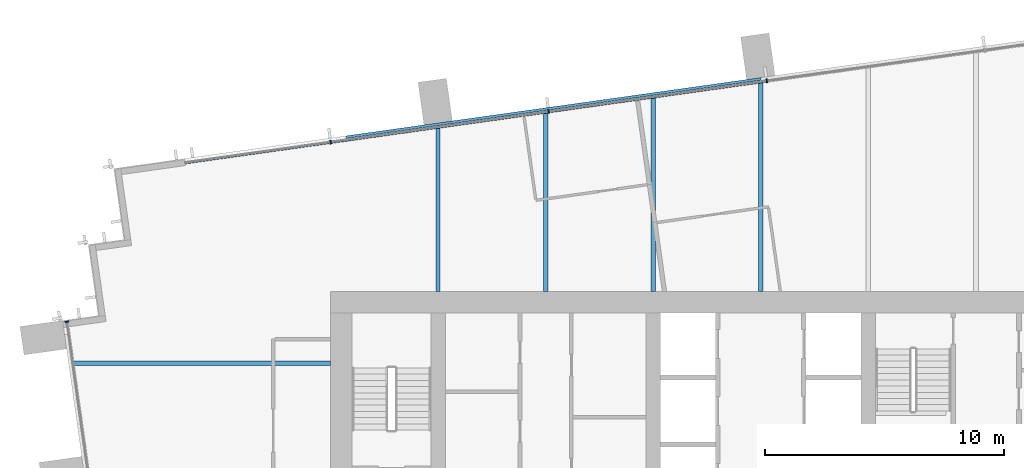
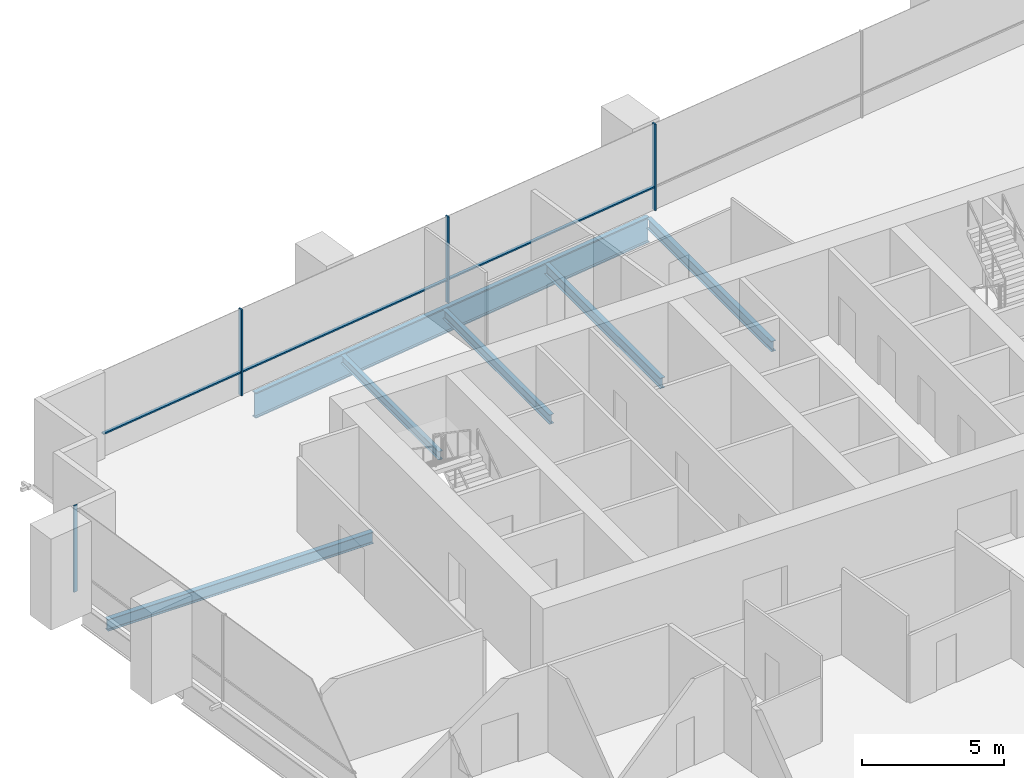
# One storey, part 6 of 14: 7 members, 6 beams, 2 elements without a shape of their own.
"""IFC4 building model written with IfcOpenShell, lengths in metres."""

import ifcopenshell
import ifcopenshell.guid

model = None  # the IFC model being written
_history = None  # IfcOwnerHistory: only IFC2X3 demands one
_inside = {}  # id of a spatial element -> (the spatial element, [elements in it])
_under = {}  # id of a project, library or spatial element -> (it, [spatial elements below it])
_declared = {}  # id of a project -> (the project, [libraries it declares])
_typed = {}  # id of a type object -> (the type object, [elements of that type])
_made_of = {}  # id of a material, layer set ... -> (it, [elements and type objects made of it])


def new_model(schema):
    """Start an empty IFC model of exactly this schema.

    Asked for "IFC4X3", IfcOpenShell would pick the latest addendum, in which some entities
    have other attributes; the version numbers below select the first issue.
    IFC2X3 requires an IfcOwnerHistory on every rooted entity: one is made here for all.
    """
    global model, _history
    if schema == "IFC4X3":
        model = ifcopenshell.file(schema_version=(4, 3, 0, 0))
    else:
        model = ifcopenshell.file(schema=schema)
    _inside.clear()
    _under.clear()
    _declared.clear()
    _typed.clear()
    _made_of.clear()
    _history = None
    if model.schema == "IFC2X3":
        org = make("IfcOrganization", Name="unknown")
        user = make(
            "IfcPersonAndOrganization",
            ThePerson=make("IfcPerson", FamilyName="unknown"),
            TheOrganization=org,
        )
        app = make(
            "IfcApplication",
            ApplicationDeveloper=org,
            Version="unknown",
            ApplicationFullName="unknown",
            ApplicationIdentifier="unknown",
        )
        _history = make(
            "IfcOwnerHistory",
            OwningUser=user,
            OwningApplication=app,
            ChangeAction="ADDED",
            CreationDate=0,
        )
    return model


def make(cls, **values):
    """One entity of the class cls with the attributes given. An attribute that is None is left unset."""
    return model.create_entity(
        cls, **{name: value for name, value in values.items() if value is not None}
    )


def rooted(cls, **values):
    """An entity with a GlobalId (a new one), such as an element, a storey or a relation."""
    return make(cls, GlobalId=ifcopenshell.guid.new(), OwnerHistory=_history, **values)


def si_unit(unit_type, name, prefix=None):
    """IfcSIUnit, for example si_unit("LENGTHUNIT", "METRE", prefix="MILLI")."""
    return make("IfcSIUnit", UnitType=unit_type, Prefix=prefix, Name=name)


def assignment(units):
    """IfcUnitAssignment: the units of a project."""
    return None if units is None else make("IfcUnitAssignment", Units=units)


def point(xyz):
    """IfcCartesianPoint."""
    return None if xyz is None else make("IfcCartesianPoint", Coordinates=xyz)


def direction(xyz):
    """IfcDirection."""
    return None if xyz is None else make("IfcDirection", DirectionRatios=xyz)


def frame(location, z_axis=None, x_axis=None):
    """IfcAxis2Placement3D, a coordinate frame: its origin and axes. An axis left out is left unset."""
    return make(
        "IfcAxis2Placement3D",
        Location=point(location),
        Axis=direction(z_axis),
        RefDirection=direction(x_axis),
    )


def frame_2d(location, x_axis=None):
    """IfcAxis2Placement2D, a coordinate frame in the plane: its origin and x axis."""
    return make(
        "IfcAxis2Placement2D", Location=point(location), RefDirection=direction(x_axis)
    )


def origin():
    """The frame at (0, 0, 0) with its axes left unset."""
    return frame((0.0, 0.0, 0.0))


def origin_2d():
    """The frame at (0, 0) in the plane with its x axis left unset."""
    return frame_2d((0.0, 0.0))


def place(relative_to, where):
    """IfcLocalPlacement: puts the frame where relative to a parent placement (None: the world)."""
    return make(
        "IfcLocalPlacement", PlacementRelTo=relative_to, RelativePlacement=where
    )


def context(
    kind, dimensions, precision=None, world=None, true_north=None, identifier=None
):
    """IfcGeometricRepresentationContext, for example the 3D "Model" context."""
    return make(
        "IfcGeometricRepresentationContext",
        ContextIdentifier=identifier,
        ContextType=kind,
        CoordinateSpaceDimension=dimensions,
        Precision=precision,
        WorldCoordinateSystem=world,
        TrueNorth=true_north,
    )


def subcontext(parent, identifier, kind, view, scale=None):
    """IfcGeometricRepresentationSubContext, for example "Body" below "Model"."""
    return make(
        "IfcGeometricRepresentationSubContext",
        ContextIdentifier=identifier,
        ContextType=kind,
        ParentContext=parent,
        TargetScale=scale,
        TargetView=view,
    )


def project(units=None, contexts=None):
    """IfcProject with its units and contexts."""
    return rooted(
        "IfcProject",
        Name="project",
        RepresentationContexts=contexts,
        UnitsInContext=assignment(units),
    )


def spatial(cls, under=None, at=None, **own):
    """A site, building, storey or space (cls), placed at a placement, below another one or the project."""
    s = rooted(cls, ObjectPlacement=at, **own)
    if under is not None:
        _under.setdefault(under.id(), (under, []))[1].append(s)
    return s


def profile(cls, at=None, kind="AREA", **sizes):
    """A parametric profile (cls). Its sizes go by their IFC names, for example OverallWidth=200.0."""
    return make(cls, ProfileType=kind, Position=at, **sizes)


def rectangle(**sizes):
    """IfcRectangleProfileDef."""
    return profile("IfcRectangleProfileDef", **sizes)


def i_section(**sizes):
    """IfcIShapeProfileDef."""
    return profile("IfcIShapeProfileDef", **sizes)


def extrude(swept, where, along, depth):
    """IfcExtrudedAreaSolid: the profile swept, set in the frame where, extruded along a direction by depth."""
    return make(
        "IfcExtrudedAreaSolid",
        SweptArea=swept,
        Position=where,
        ExtrudedDirection=direction(along),
        Depth=depth,
    )


def shape(context_of_items, identifier, shape_type, items):
    """IfcShapeRepresentation: the items that make up one representation, for example the "Body"."""
    return make(
        "IfcShapeRepresentation",
        ContextOfItems=context_of_items,
        RepresentationIdentifier=identifier,
        RepresentationType=shape_type,
        Items=items,
    )


def material(Name=None, Category=None):
    """IfcMaterial."""
    return make("IfcMaterial", Name=Name, Category=Category)


def material_profile(
    of_material, cross_section, Name=None, Category=None, Priority=None
):
    """IfcMaterialProfile: a cross section and its material."""
    return make(
        "IfcMaterialProfile",
        Name=Name,
        Material=of_material,
        Profile=cross_section,
        Priority=Priority,
        Category=Category,
    )


def profile_set(profiles, Name=None, composite=None):
    """IfcMaterialProfileSet."""
    return make(
        "IfcMaterialProfileSet",
        Name=Name,
        MaterialProfiles=profiles,
        CompositeProfile=composite,
    )


def made_of(thing, what):
    """Note that an element or type object is made of a material, layer set ...; save() writes the relation."""
    if what is not None:
        _made_of.setdefault(what.id(), (what, []))[1].append(thing)
    return thing


def type_object(cls, material=None, **own):
    """A type object (cls), such as IfcWallType, which elements share."""
    return made_of(rooted(cls, **own), material)


def element(
    cls,
    number,
    at=None,
    inside=None,
    cuts=None,
    type_object=None,
    material=None,
    context=None,
    identifier="Body",
    shape_type=None,
    held_by="IfcProductDefinitionShape",
    body=None,
    shapes=None,
    **own,
):
    """One element of the class cls, such as IfcWall. Its Tag is "e" and its number.

    at: its placement. inside: the storey or other place that contains it. cuts: it is an
    opening in that element (IfcRelVoidsElement). A single representation is given by context,
    identifier, shape_type and body (its items); several are given by shapes. held_by: the class
    of the entity that holds the representations. save() writes the other relations.
    """
    e = rooted(cls, Tag="e%d" % number, ObjectPlacement=at, **own)
    if body is not None:
        shapes = [shape(context, identifier, shape_type, body)]
    if shapes is not None:
        e.Representation = make(held_by, Representations=shapes)
    if inside is not None:
        _inside.setdefault(inside.id(), (inside, []))[1].append(e)
    if cuts is not None:
        rooted(
            "IfcRelVoidsElement", RelatingBuildingElement=cuts, RelatedOpeningElement=e
        )
    if type_object is not None:
        _typed.setdefault(type_object.id(), (type_object, []))[1].append(e)
    return made_of(e, material)


def aggregate(whole, parts):
    """IfcRelAggregates: a whole, such as a stair, and the parts it consists of."""
    return rooted("IfcRelAggregates", RelatingObject=whole, RelatedObjects=parts)


def save(model, path):
    """Write the relations noted so far, then the file.

    IfcRelAggregates (storeys below a building ...), IfcRelContainedInSpatialStructure (elements
    in a storey), IfcRelDefinesByType, IfcRelAssociatesMaterial and IfcRelDeclares: one each for
    every whole, place, type object, material and project.
    """
    for whole, parts in _under.values():
        aggregate(whole, parts)
    for where, things in _inside.values():
        rooted(
            "IfcRelContainedInSpatialStructure",
            RelatedElements=things,
            RelatingStructure=where,
        )
    for kind, things in _typed.values():
        rooted("IfcRelDefinesByType", RelatedObjects=things, RelatingType=kind)
    for what, things in _made_of.values():
        rooted("IfcRelAssociatesMaterial", RelatedObjects=things, RelatingMaterial=what)
    for by, libraries in _declared.values():
        rooted("IfcRelDeclares", RelatingContext=by, RelatedDefinitions=libraries)
    model.write(path)


model = new_model("IFC4")

# Units and contexts
model_context = context("Model", 3, precision=1e-05, world=origin(), true_north=direction((0.0, 1.0)))
body_context = subcontext(model_context, "Body", "Model", "MODEL_VIEW")
ifc_project = project(units=[si_unit("LENGTHUNIT", "METRE"), si_unit("AREAUNIT", "SQUARE_METRE"), si_unit("VOLUMEUNIT", "CUBIC_METRE"), si_unit("PLANEANGLEUNIT", "RADIAN"), si_unit("MASSUNIT", "GRAM", prefix="KILO")], contexts=[model_context])

# Site, building, storey
site_placement = place(None, origin())
site = spatial("IfcSite", under=ifc_project, at=site_placement, CompositionType="ELEMENT")
building_placement = place(site_placement, origin())
building = spatial("IfcBuilding", under=site, at=building_placement, Name="Rattan Terrace Tower", CompositionType="ELEMENT")
storey_placement = place(building_placement, frame((0.0, 0.0, 172.39990234375)))
storey = spatial("IfcBuildingStorey", under=building, at=storey_placement, Name="L39", CompositionType="ELEMENT", Elevation=172.39990234375)

# Curtain wall, members
ifc_material_1 = material(Name="Aluminium and glass", Category="aluminium")
curtain_wall_type = type_object("IfcCurtainWallType", Name="Facade Unitised Curtain Wall", PredefinedType="NOTDEFINED", material=ifc_material_1)
curtain_wall_1_placement = place(storey_placement, origin())
curtain_wall_1 = element("IfcCurtainWall", 1, at=curtain_wall_1_placement, inside=storey, type_object=curtain_wall_type, Name="Curtain wall L39-2", PredefinedType="NOTDEFINED")
ifc_material_2 = material(Name="Aluminium", Category="aluminium")
ifc_material_profile_1 = material_profile(ifc_material_2, rectangle(XDim=0.06005859375, YDim=0.159912109375, at=origin_2d()), Name="Aluminium 60x160")
ifc_profile_set_1 = profile_set([ifc_material_profile_1], Name="Aluminium")
member_type_1 = type_object("IfcMemberType", Name="Facade CW Mullion 60x160", PredefinedType="MULLION", material=ifc_profile_set_1)
member_1_placement = place(storey_placement, frame((0.25, 16.3125, 0.0), z_axis=(0.0, 0.0, 1.0), x_axis=(-0.990269702686, -0.139161474347, 0.0)))
member_1 = element("IfcMember", 2, at=member_1_placement, type_object=member_type_1, Name="Mullion cwl-L39-002.3", PredefinedType="MULLION", context=body_context, shape_type="SweptSolid", body=[
    extrude(rectangle(XDim=0.06005859375, YDim=0.159912109375, at=origin_2d()), origin(), (0.0, 0.0, 1.0), 3.7001953125),
])
member_2_placement = place(storey_placement, frame((-8.873291015625, 15.0302734375, 0.0), z_axis=(0.0, 0.0, 1.0), x_axis=(-0.990269702686, -0.139161474347, 0.0)))
member_2 = element("IfcMember", 3, at=member_2_placement, type_object=member_type_1, Name="Mullion cwl-L39-002.4", PredefinedType="MULLION", context=body_context, shape_type="SweptSolid", body=[
    extrude(rectangle(XDim=0.06005859375, YDim=0.159912109375, at=origin_2d()), origin(), (0.0, 0.0, 1.0), 3.7001953125),
])
member_3_placement = place(storey_placement, frame((-17.996826171875, 13.748291015625, 0.0), z_axis=(0.0, 0.0, 1.0), x_axis=(-0.990269702686, -0.139161474347, 0.0)))
member_3 = element("IfcMember", 4, at=member_3_placement, type_object=member_type_1, Name="Mullion cwl-L39-002.5", PredefinedType="MULLION", context=body_context, shape_type="SweptSolid", body=[
    extrude(rectangle(XDim=0.06005859375, YDim=0.159912109375, at=origin_2d()), origin(), (0.0, 0.0, 1.0), 3.7001953125),
])

# Curtain wall, member
curtain_wall_2_placement = place(storey_placement, origin())
curtain_wall_2 = element("IfcCurtainWall", 5, at=curtain_wall_2_placement, inside=storey, type_object=curtain_wall_type, Name="Curtain wall L39-3", PredefinedType="NOTDEFINED")
member_4_placement = place(storey_placement, frame((-29.037109375, 6.2333984375, 0.0), z_axis=(0.0, 0.0, 1.0), x_axis=(0.139190856006, -0.99026557327, 0.0)))
member_4 = element("IfcMember", 6, at=member_4_placement, type_object=member_type_1, Name="Mullion cwl-L39-003.1", PredefinedType="MULLION", context=body_context, shape_type="SweptSolid", body=[
    extrude(rectangle(XDim=0.06005859375, YDim=0.159912109375, at=origin_2d()), origin(), (0.0, 0.0, 1.0), 3.7001953125),
])
aggregate(curtain_wall_2, [member_4])

# Member
ifc_material_3 = material(Name="Aluminium", Category="aluminium")
ifc_material_profile_2 = material_profile(ifc_material_3, rectangle(XDim=0.1201171875, YDim=0.06005859375, at=origin_2d()), Name="Aluminium 120x60")
ifc_profile_set_2 = profile_set([ifc_material_profile_2], Name="Aluminium")
member_type_2 = type_object("IfcMemberType", Name="Facade CW Transom 120x60", PredefinedType="USERDEFINED", material=ifc_profile_set_2)
member_5_placement = place(storey_placement, frame((0.22021484375, 16.308349609375, 1.0), z_axis=(-0.990267035849, -0.139180450171, 0.0), x_axis=(0.139180450171, -0.990267035849, 0.0)))
member_5 = element("IfcMember", 7, at=member_5_placement, type_object=member_type_2, Name="Transom cwl-L39-002.3", ObjectType="TRANSOM", PredefinedType="USERDEFINED", context=body_context, shape_type="SweptSolid", body=[
    extrude(rectangle(XDim=0.1201171875, YDim=0.06005859375, at=origin_2d()), origin(), (0.0, 0.0, 1.0), 9.153076171875),
])

member_6_placement = place(storey_placement, frame((-8.903076171875, 15.026123046875, 1.0), z_axis=(-0.990270711765, -0.139154293575, 0.0), x_axis=(0.139154293575, -0.990270711765, 0.0)))
member_6 = element("IfcMember", 8, at=member_6_placement, type_object=member_type_2, Name="Transom cwl-L39-002.4", ObjectType="TRANSOM", PredefinedType="USERDEFINED", context=body_context, shape_type="SweptSolid", body=[
    extrude(rectangle(XDim=0.1201171875, YDim=0.06005859375, at=origin_2d()), origin(), (0.0, 0.0, 1.0), 9.153076171875),
])

member_7_placement = place(storey_placement, frame((-18.0263671875, 13.744140625, 1.0), z_axis=(-0.990267752185, -0.139175353357, 0.0), x_axis=(0.139175353357, -0.990267752185, 0.0)))
member_7 = element("IfcMember", 9, at=member_7_placement, type_object=member_type_2, Name="Transom cwl-L39-002.5", ObjectType="TRANSOM", PredefinedType="USERDEFINED", context=body_context, shape_type="SweptSolid", body=[
    extrude(rectangle(XDim=0.1201171875, YDim=0.06005859375, at=origin_2d()), origin(), (0.0, 0.0, 1.0), 6.11865234375),
])

aggregate(curtain_wall_1, [member_1, member_2, member_3, member_5, member_6, member_7])

# Beams
ifc_material_4 = material(Name="Steel S460", Category="steel")
ifc_material_profile_3 = material_profile(ifc_material_4, i_section(OverallWidth=0.179931640625, OverallDepth=1.10009765625, WebThickness=0.01611328125, FlangeThickness=0.050048828125, at=origin_2d()), Name="PG 1100x180-16-50")
ifc_profile_set_3 = profile_set([ifc_material_profile_3], Name="Steel S460")
beam_type_1 = type_object("IfcBeamType", Name="Frame edge girder PG 1100x180-16-50", PredefinedType="SPANDREL", material=ifc_profile_set_3)
beam_1_placement = place(storey_placement, frame((-17.347900390625, 13.9208984375, -0.75), z_axis=(0.990273554652, 0.139134061096, 0.0), x_axis=(-0.139134061096, 0.990273554652, 0.0)))
element("IfcBeam", 10, at=beam_1_placement, inside=storey, type_object=beam_type_1, Name="gdr-L39-006", PredefinedType="SPANDREL", context=body_context, shape_type="SweptSolid", body=[
    extrude(i_section(OverallWidth=0.179931640625, OverallDepth=1.10009765625, WebThickness=0.01611328125, FlangeThickness=0.050048828125, at=origin_2d()), origin(), (0.0, 0.0, 1.0), 17.53125),
])
ifc_material_5 = material(Name="Steel S355", Category="steel")
ifc_material_profile_4 = material_profile(ifc_material_5, i_section(OverallWidth=0.169921875, OverallDepth=0.360107421875, WebThickness=0.008056640625, FlangeThickness=0.0126953125, FilletRadius=0.01806640625, at=origin_2d()), Name="IPE 360")
ifc_profile_set_4 = profile_set([ifc_material_profile_4], Name="Steel S355")
beam_type_2 = type_object("IfcBeamType", Name="Frame floor beam IPE 360", PredefinedType="JOIST", material=ifc_profile_set_4)
beam_2_placement = place(storey_placement, frame((-13.5, 7.5, -0.3798828125), z_axis=(0.0, 1.0, 0.0), x_axis=(-1.0, 0.0, 0.0)))
element("IfcBeam", 11, at=beam_2_placement, inside=storey, type_object=beam_type_2, Name="bm-L39-016", PredefinedType="JOIST", context=body_context, shape_type="SweptSolid", body=[
    extrude(i_section(OverallWidth=0.169921875, OverallDepth=0.360107421875, WebThickness=0.008056640625, FlangeThickness=0.0126953125, FilletRadius=0.01806640625, at=origin_2d()), origin(), (0.0, 0.0, 1.0), 6.85888671875),
])
ifc_material_6 = material(Name="Steel S355", Category="steel")
ifc_material_profile_5 = material_profile(ifc_material_6, i_section(OverallWidth=0.179931640625, OverallDepth=0.39990234375, WebThickness=0.008544921875, FlangeThickness=0.013427734375, FilletRadius=0.02099609375, at=origin_2d()), Name="IPE 400")
ifc_profile_set_5 = profile_set([ifc_material_profile_5], Name="Steel S355")
beam_type_3 = type_object("IfcBeamType", Name="Frame floor beam IPE 400", PredefinedType="JOIST", material=ifc_profile_set_5)
beam_3_placement = place(storey_placement, frame((-9.0, 7.5, -0.39990234375), z_axis=(0.0, 1.0, 0.0), x_axis=(-1.0, 0.0, 0.0)))
element("IfcBeam", 12, at=beam_3_placement, inside=storey, type_object=beam_type_3, Name="bm-L39-017", PredefinedType="JOIST", context=body_context, shape_type="SweptSolid", body=[
    extrude(i_section(OverallWidth=0.179931640625, OverallDepth=0.39990234375, WebThickness=0.008544921875, FlangeThickness=0.013427734375, FilletRadius=0.02099609375, at=origin_2d()), origin(), (0.0, 0.0, 1.0), 7.489990234375),
])
ifc_material_7 = material(Name="Steel S355", Category="steel")
ifc_material_profile_6 = material_profile(ifc_material_7, i_section(OverallWidth=0.18994140625, OverallDepth=0.449951171875, WebThickness=0.009521484375, FlangeThickness=0.0146484375, FilletRadius=0.02099609375, at=origin_2d()), Name="IPE 450")
ifc_profile_set_6 = profile_set([ifc_material_profile_6], Name="Steel S355")
beam_type_4 = type_object("IfcBeamType", Name="Frame floor beam IPE 450", PredefinedType="JOIST", material=ifc_profile_set_6)
beam_4_placement = place(storey_placement, frame((-4.5, 7.5, -0.4248046875), z_axis=(0.0, 1.0, 0.0), x_axis=(-1.0, 0.0, 0.0)))
element("IfcBeam", 13, at=beam_4_placement, inside=storey, type_object=beam_type_4, Name="bm-L39-018", PredefinedType="JOIST", context=body_context, shape_type="SweptSolid", body=[
    extrude(i_section(OverallWidth=0.18994140625, OverallDepth=0.449951171875, WebThickness=0.009521484375, FlangeThickness=0.0146484375, FilletRadius=0.02099609375, at=origin_2d()), origin(), (0.0, 0.0, 1.0), 8.1220703125),
])
beam_5_placement = place(storey_placement, frame((0.0, 7.5, -0.4248046875), z_axis=(0.0, 1.0, 0.0), x_axis=(-1.0, 0.0, 0.0)))
element("IfcBeam", 14, at=beam_5_placement, inside=storey, type_object=beam_type_4, Name="bm-L39-019", PredefinedType="JOIST", context=body_context, shape_type="SweptSolid", body=[
    extrude(i_section(OverallWidth=0.18994140625, OverallDepth=0.449951171875, WebThickness=0.009521484375, FlangeThickness=0.0146484375, FilletRadius=0.02099609375, at=origin_2d()), origin(), (0.0, 0.0, 1.0), 8.75390625),
])
ifc_material_8 = material(Name="Steel S355", Category="steel")
ifc_material_profile_7 = material_profile(ifc_material_8, i_section(OverallWidth=0.199951171875, OverallDepth=0.5, WebThickness=0.01025390625, FlangeThickness=0.01611328125, FilletRadius=0.02099609375, at=origin_2d()), Name="IPE 500")
ifc_profile_set_7 = profile_set([ifc_material_profile_7], Name="Steel S355")
beam_type_5 = type_object("IfcBeamType", Name="Frame floor beam IPE 500", PredefinedType="JOIST", material=ifc_profile_set_7)
beam_6_placement = place(storey_placement, frame((-28.77001953125, 4.5, -0.449951171875), z_axis=(1.0, 0.0, 0.0), x_axis=(0.0, 1.0, 0.0)))
element("IfcBeam", 15, at=beam_6_placement, inside=storey, type_object=beam_type_5, Name="bm-L39-014", PredefinedType="JOIST", context=body_context, shape_type="SweptSolid", body=[
    extrude(i_section(OverallWidth=0.199951171875, OverallDepth=0.5, WebThickness=0.01025390625, FlangeThickness=0.01611328125, FilletRadius=0.02099609375, at=origin_2d()), origin(), (0.0, 0.0, 1.0), 10.77001953125),
])

save(model, "model.ifc")
